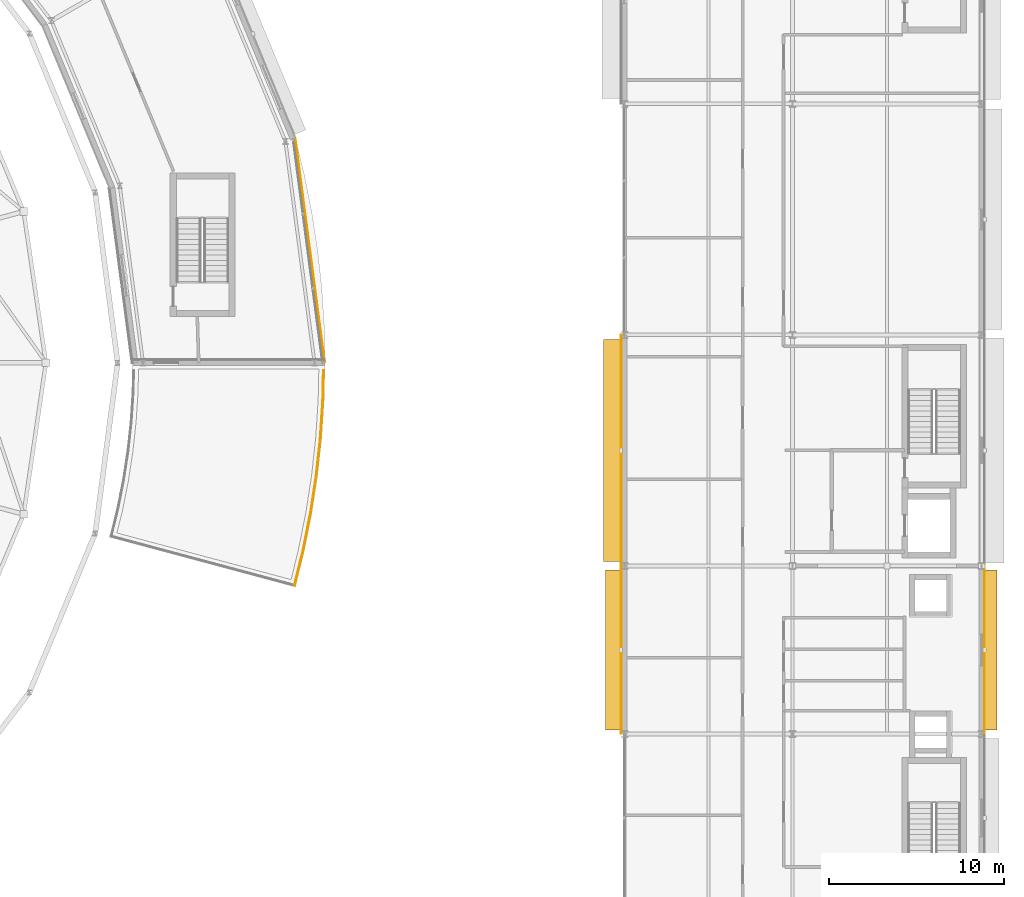
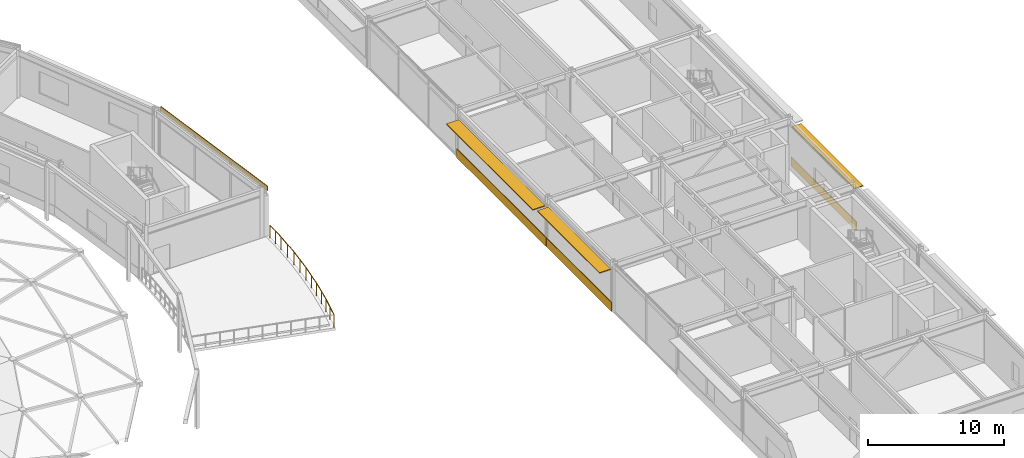
# One storey, part 87 of 89: 6 railings, 4 coverings, 3 shading devices.
"""IFC4 building model written with IfcOpenShell, lengths in metres."""

from ifc_helpers import new_model, si_unit, direction, frame, origin, origin_2d, place, context, subcontext, project, spatial, rectangle, circle, extrude, material, layer, layer_set, type_object, element, save


model = new_model("IFC4")

# Units and contexts
model_context = context("Model", 3, precision=1e-05, world=origin(), true_north=direction((0.0, 1.0)))
body_context = subcontext(model_context, "Body", "Model", "MODEL_VIEW")
ifc_project = project(units=[si_unit("LENGTHUNIT", "METRE"), si_unit("AREAUNIT", "SQUARE_METRE"), si_unit("VOLUMEUNIT", "CUBIC_METRE"), si_unit("PLANEANGLEUNIT", "RADIAN"), si_unit("MASSUNIT", "GRAM", prefix="KILO")], contexts=[model_context])

# Site, building, storey
site_placement = place(None, origin())
site = spatial("IfcSite", under=ifc_project, at=site_placement, CompositionType="ELEMENT")
building_placement = place(site_placement, origin())
building = spatial("IfcBuilding", under=site, at=building_placement, Name="Almandine Court Research Institute", CompositionType="ELEMENT")
storey_placement = place(building_placement, frame((0.0, 0.0, 18.89990234375)))
storey = spatial("IfcBuildingStorey", under=building, at=storey_placement, Name="L04", CompositionType="ELEMENT", Elevation=18.89990234375)

# Coverings
ifc_material_1 = material(Name="Extruded Cream-Ochre Seismic Terracotta Spandrel", Category="masonry")
ifc_layer_1 = layer(ifc_material_1, 0.054931640625)
ifc_layer_set_1 = layer_set([ifc_layer_1], Name="Extruded Cream-Ochre Seismic Terracotta Spandrel")
covering_type = type_object("IfcCoveringType", Name="Cov-CLAD-TERR", PredefinedType="CLADDING", material=ifc_layer_set_1)
covering_1_placement = place(storey_placement, frame((153.428955078125, 39.60009765625, 0.02001953125), z_axis=(0.0, 0.0, 1.0), x_axis=(0.0, 1.0, 0.0)))
element("IfcCovering", 1, at=covering_1_placement, inside=storey, type_object=covering_type, Name="L04 Facade Spandrel Cladding Band 172", PredefinedType="CLADDING", context=body_context, shape_type="SweptSolid", body=[
    extrude(rectangle(XDim=9.592041015625, YDim=0.054931640625, at=origin_2d()), origin(), (0.0, 0.0, 1.0), 0.800048828125),
])
covering_2_placement = place(storey_placement, frame((153.428955078125, 51.0, 0.02001953125), z_axis=(0.0, 0.0, 1.0), x_axis=(0.0, 1.0, 0.0)))
element("IfcCovering", 2, at=covering_2_placement, inside=storey, type_object=covering_type, Name="L04 Facade Spandrel Cladding Band 173", PredefinedType="CLADDING", context=body_context, shape_type="SweptSolid", body=[
    extrude(rectangle(XDim=13.19189453125, YDim=0.054931640625, at=origin_2d()), origin(), (0.0, 0.0, 1.0), 0.800048828125),
])
covering_3_placement = place(storey_placement, frame((174.1708984375, 39.60009765625, 0.02001953125), z_axis=(0.0, 0.0, 1.0), x_axis=(0.0, -1.0, 0.0)))
element("IfcCovering", 3, at=covering_3_placement, inside=storey, type_object=covering_type, Name="L04 Facade Spandrel Cladding Band 180", PredefinedType="CLADDING", context=body_context, shape_type="SweptSolid", body=[
    extrude(rectangle(XDim=9.592041015625, YDim=0.054931640625, at=origin_2d()), origin(), (0.0, 0.0, 1.0), 0.800048828125),
])
covering_4_placement = place(storey_placement, frame((135.638916015625, 62.404052734375, 3.920166015625), z_axis=(0.0, 0.0, 1.0), x_axis=(0.13052619222, -0.991444861374, 0.0)))
element("IfcCovering", 4, at=covering_4_placement, inside=storey, type_object=covering_type, Name="L04 Drum Stacked Terracotta Ring Band 00", PredefinedType="CLADDING", context=body_context, shape_type="SweptSolid", body=[
    extrude(rectangle(XDim=12.8779296875, YDim=0.054931640625, at=origin_2d()), origin(), (0.0, 0.0, 1.0), 0.419921875),
])

# Railings
ifc_material_2 = material(Name="Architectural Powder-Coated Aluminium Balustrade", Category="aluminium")
railing_type = type_object("IfcRailingType", Name="Rail-BAL-EXT", PredefinedType="BALUSTRADE", material=ifc_material_2)
railing_1_placement = place(storey_placement, frame((136.409912109375, 55.550048828125, 0.0)))
element("IfcRailing", 5, at=railing_1_placement, inside=storey, type_object=railing_type, Name="L04 Terrace Perimeter Balustrade 121", PredefinedType="BALUSTRADE", context=body_context, shape_type="SweptSolid", body=[
    extrude(circle(Radius=0.02392578125, at=origin_2d()), frame((0.0, 0.0, 1.1259765625), z_axis=(-0.021603428653, -0.999766618702, 0.0), x_axis=(0.999766618702, -0.021603428653, 0.0)), (0.0, 0.0, 1.0), 1.70654296875),
    extrude(circle(Radius=0.02099609375, at=origin_2d()), origin(), (0.0, 0.0, 1.0), 1.101806640625),
    extrude(circle(Radius=0.02099609375, at=origin_2d()), frame((-0.0185546875, -0.85302734375, 0.0)), (0.0, 0.0, 1.0), 1.101806640625),
    extrude(circle(Radius=0.02099609375, at=origin_2d()), frame((-0.036865234375, -1.7060546875, 0.0)), (0.0, 0.0, 1.0), 1.101806640625),
])
railing_2_placement = place(storey_placement, frame((136.373046875, 53.843994140625, 0.0)))
element("IfcRailing", 6, at=railing_2_placement, inside=storey, type_object=railing_type, Name="L04 Terrace Perimeter Balustrade 122", PredefinedType="BALUSTRADE", context=body_context, shape_type="SweptSolid", body=[
    extrude(circle(Radius=0.02392578125, at=origin_2d()), frame((0.0, 0.0, 1.1259765625), z_axis=(-0.065466521555, -0.997854766264, 0.0), x_axis=(0.997854766264, -0.065466521555, 0.0)), (0.0, 0.0, 1.0), 2.155517578125),
    extrude(circle(Radius=0.02099609375, at=origin_2d()), origin(), (0.0, 0.0, 1.0), 1.101806640625),
    extrude(circle(Radius=0.02099609375, at=origin_2d()), frame((-0.070556640625, -1.075439453125, 0.0)), (0.0, 0.0, 1.0), 1.101806640625),
    extrude(circle(Radius=0.02099609375, at=origin_2d()), frame((-0.14111328125, -2.15087890625, 0.0)), (0.0, 0.0, 1.0), 1.101806640625),
])
railing_3_placement = place(storey_placement, frame((136.23193359375, 51.693115234375, 0.0)))
element("IfcRailing", 7, at=railing_3_placement, inside=storey, type_object=railing_type, Name="L04 Terrace Perimeter Balustrade 123", PredefinedType="BALUSTRADE", context=body_context, shape_type="SweptSolid", body=[
    extrude(circle(Radius=0.02392578125, at=origin_2d()), frame((0.0, 0.0, 1.1259765625), z_axis=(-0.108443442304, -0.994102620367, 0.0), x_axis=(0.994102620367, -0.108443442304, 0.0)), (0.0, 0.0, 1.0), 2.15673828125),
    extrude(circle(Radius=0.02099609375, at=origin_2d()), origin(), (0.0, 0.0, 1.0), 1.101806640625),
    extrude(circle(Radius=0.02099609375, at=origin_2d()), frame((-0.116943359375, -1.072021484375, 0.0)), (0.0, 0.0, 1.0), 1.101806640625),
    extrude(circle(Radius=0.02099609375, at=origin_2d()), frame((-0.23388671875, -2.14404296875, 0.0)), (0.0, 0.0, 1.0), 1.101806640625),
])
railing_4_placement = place(storey_placement, frame((135.998046875, 49.549072265625, 0.0)))
element("IfcRailing", 8, at=railing_4_placement, inside=storey, type_object=railing_type, Name="L04 Terrace Perimeter Balustrade 124", PredefinedType="BALUSTRADE", context=body_context, shape_type="SweptSolid", body=[
    extrude(circle(Radius=0.02392578125, at=origin_2d()), frame((0.0, 0.0, 1.1259765625), z_axis=(-0.152618671611, -0.988285151702, 0.0), x_axis=(0.988285151702, -0.152618671611, 0.0)), (0.0, 0.0, 1.0), 2.15625),
    extrude(circle(Radius=0.02099609375, at=origin_2d()), origin(), (0.0, 0.0, 1.0), 1.101806640625),
    extrude(circle(Radius=0.02099609375, at=origin_2d()), frame((-0.16455078125, -1.0654296875, 0.0)), (0.0, 0.0, 1.0), 1.101806640625),
    extrude(circle(Radius=0.02099609375, at=origin_2d()), frame((-0.3291015625, -2.131103515625, 0.0)), (0.0, 0.0, 1.0), 1.101806640625),
])
railing_5_placement = place(storey_placement, frame((135.6689453125, 47.41796875, 0.0)))
element("IfcRailing", 9, at=railing_5_placement, inside=storey, type_object=railing_type, Name="L04 Terrace Perimeter Balustrade 125", PredefinedType="BALUSTRADE", context=body_context, shape_type="SweptSolid", body=[
    extrude(circle(Radius=0.02392578125, at=origin_2d()), frame((0.0, 0.0, 1.1259765625), z_axis=(-0.194744198553, -0.980854065154, 0.0), x_axis=(0.980854065154, -0.194744198553, 0.0)), (0.0, 0.0, 1.0), 2.15625),
    extrude(circle(Radius=0.02099609375, at=origin_2d()), origin(), (0.0, 0.0, 1.0), 1.101806640625),
    extrude(circle(Radius=0.02099609375, at=origin_2d()), frame((-0.2099609375, -1.0576171875, 0.0)), (0.0, 0.0, 1.0), 1.101806640625),
    extrude(circle(Radius=0.02099609375, at=origin_2d()), frame((-0.419921875, -2.114990234375, 0.0)), (0.0, 0.0, 1.0), 1.101806640625),
])
railing_6_placement = place(storey_placement, frame((135.2490234375, 45.302978515625, 0.0)))
element("IfcRailing", 10, at=railing_6_placement, inside=storey, type_object=railing_type, Name="L04 Terrace Perimeter Balustrade 126", PredefinedType="BALUSTRADE", context=body_context, shape_type="SweptSolid", body=[
    extrude(circle(Radius=0.02392578125, at=origin_2d()), frame((0.0, 0.0, 1.1259765625), z_axis=(-0.237941158526, -0.971279571019, 0.0), x_axis=(0.971279571019, -0.237941158526, 0.0)), (0.0, 0.0, 1.0), 2.07666015625),
    extrude(circle(Radius=0.02099609375, at=origin_2d()), origin(), (0.0, 0.0, 1.0), 1.101806640625),
    extrude(circle(Radius=0.02099609375, at=origin_2d()), frame((-0.2470703125, -1.008544921875, 0.0)), (0.0, 0.0, 1.0), 1.101806640625),
    extrude(circle(Radius=0.02099609375, at=origin_2d()), frame((-0.494140625, -2.01708984375, 0.0)), (0.0, 0.0, 1.0), 1.101806640625),
])

# Shading devices
ifc_material_3 = material(Name="Precast GFRC Chhajja Sunshade and Acoustic Louvre", Category="concrete")
ifc_layer_2 = layer(ifc_material_3, 0.080078125)
ifc_layer_set_2 = layer_set([ifc_layer_2], Name="Precast GFRC Chhajja Sunshade and Acoustic Louvre")
shading_device_type_1 = type_object("IfcShadingDeviceType", Name="Shd-SD-01", PredefinedType="AWNING", material=ifc_layer_set_2)
shading_device_1_placement = place(storey_placement, frame((152.989990234375, 39.60009765625, 3.613037109375), z_axis=(0.0, 0.0, 1.0), x_axis=(0.0, 1.0, 0.0)))
element("IfcShadingDevice", 11, at=shading_device_1_placement, inside=storey, type_object=shading_device_type_1, Name="L04 Projecting Chhajja Sunshade 117", PredefinedType="AWNING", context=body_context, shape_type="SweptSolid", body=[
    extrude(rectangle(XDim=9.162109375, YDim=0.949951171875, at=origin_2d()), origin(), (0.0, 0.0, 1.0), 0.080078125),
])
ifc_layer_3 = layer(ifc_material_3, 0.080078125)
ifc_layer_set_3 = layer_set([ifc_layer_3], Name="Precast GFRC Chhajja Sunshade and Acoustic Louvre")
shading_device_type_2 = type_object("IfcShadingDeviceType", Name="Shd-SD-33", PredefinedType="AWNING", material=ifc_layer_set_3)
shading_device_2_placement = place(storey_placement, frame((174.510009765625, 39.60009765625, 3.60400390625), z_axis=(0.0, 0.0, 1.0), x_axis=(0.0, -1.0, 0.0)))
element("IfcShadingDevice", 12, at=shading_device_2_placement, inside=storey, type_object=shading_device_type_2, Name="L04 Projecting Chhajja Sunshade 125", PredefinedType="AWNING", context=body_context, shape_type="SweptSolid", body=[
    extrude(rectangle(XDim=9.162109375, YDim=0.75, at=origin_2d()), origin(), (0.0, 0.0, 1.0), 0.080078125),
])
ifc_layer_4 = layer(ifc_material_3, 0.080078125)
ifc_layer_set_4 = layer_set([ifc_layer_4], Name="Precast GFRC Chhajja Sunshade and Acoustic Louvre")
shading_device_type_3 = type_object("IfcShadingDeviceType", Name="Shd-SD-52", PredefinedType="AWNING", material=ifc_layer_set_4)
shading_device_3_placement = place(storey_placement, frame((152.93994140625, 51.0, 3.462158203125), z_axis=(0.0, 0.0, 1.0), x_axis=(0.0, 1.0, 0.0)))
element("IfcShadingDevice", 13, at=shading_device_3_placement, inside=storey, type_object=shading_device_type_3, Name="L04 Projecting Chhajja Sunshade 118", PredefinedType="AWNING", context=body_context, shape_type="SweptSolid", body=[
    extrude(rectangle(XDim=12.681884765625, YDim=1.050048828125, at=origin_2d()), origin(), (0.0, 0.0, 1.0), 0.080078125),
])

save(model, "model.ifc")
